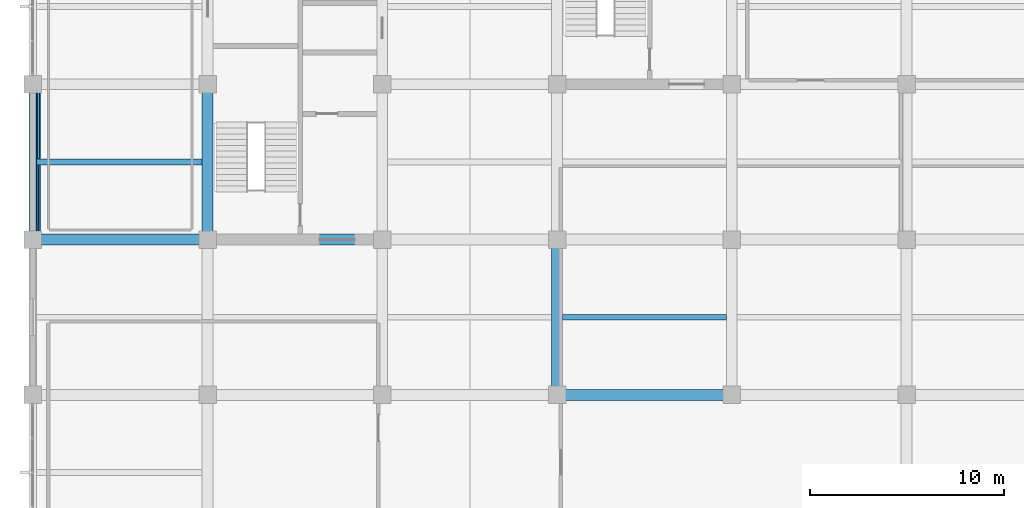
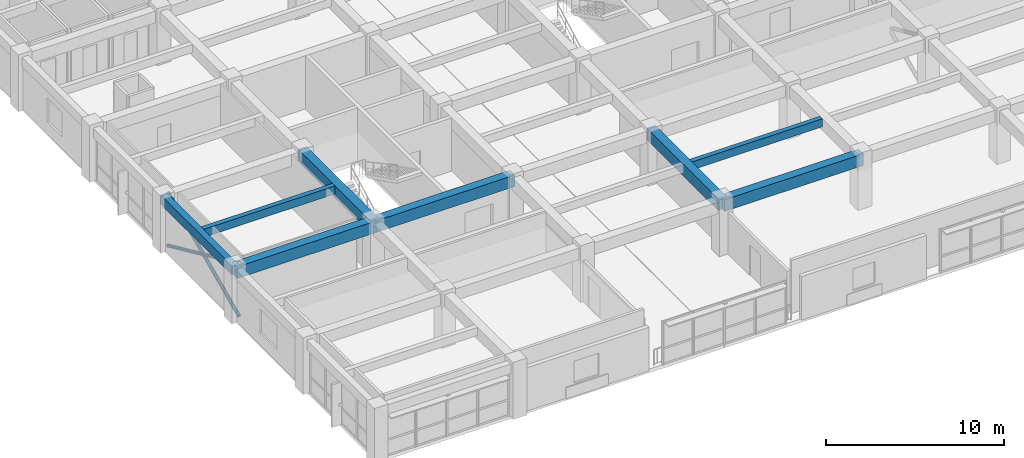
# One storey, part 3 of 16: 8 beams, 2 members.
"""IFC4 building model written with IfcOpenShell, lengths in metres."""

from ifc_helpers import new_model, si_unit, direction, frame, origin, origin_2d, place, context, subcontext, project, spatial, rectangle, hollow_circle, extrude, material, material_profile, profile_set, type_object, element, save


model = new_model("IFC4")

# Units and contexts
model_context = context("Model", 3, precision=1e-05, world=origin(), true_north=direction((0.0, 1.0)))
body_context = subcontext(model_context, "Body", "Model", "MODEL_VIEW")
ifc_project = project(units=[si_unit("LENGTHUNIT", "METRE"), si_unit("AREAUNIT", "SQUARE_METRE"), si_unit("VOLUMEUNIT", "CUBIC_METRE"), si_unit("PLANEANGLEUNIT", "RADIAN"), si_unit("MASSUNIT", "GRAM", prefix="KILO")], contexts=[model_context])

# Site, building, storey
site_placement = place(None, origin())
site = spatial("IfcSite", under=ifc_project, at=site_placement, CompositionType="ELEMENT")
building_placement = place(site_placement, origin())
building = spatial("IfcBuilding", under=site, at=building_placement, Name="Zaverband Oceanarium and Marine Research Institute", CompositionType="ELEMENT")
storey_placement = place(building_placement, frame((0.0, 0.0, 25.800048828125)))
storey = spatial("IfcBuildingStorey", under=building, at=storey_placement, Name="L06", CompositionType="ELEMENT", Elevation=25.800048828125)

# Beams
ifc_material_1 = material(Name="Concrete C40/50", Category="concrete")
ifc_material_profile_1 = material_profile(ifc_material_1, rectangle(XDim=0.550048828125, YDim=0.800048828125, at=origin_2d()), Name="RC550x800")
ifc_profile_set_1 = profile_set([ifc_material_profile_1], Name="Concrete C40/50")
beam_type_1 = type_object("IfcBeamType", Name="BM-550x800", PredefinedType="BEAM", material=ifc_profile_set_1)
for number, where, z_axis, x_axis, name in (
    (1, (36.0, 72.0, 3.25), (1.0, 0.0, 0.0), (0.0, 1.0, 0.0), "Primary floor girder BM-550x800"),
    (2, (9.0, 80.0, 3.25), (1.0, 0.0, 0.0), (0.0, 1.0, 0.0), "Primary floor girder BM-550x800"),
    (3, (18.0, 80.0, 3.25), (1.0, 0.0, 0.0), (0.0, 1.0, 0.0), "Primary floor girder BM-550x800"),
):
    element("IfcBeam", number, at=place(storey_placement, frame(where, z_axis=z_axis, x_axis=x_axis)), inside=storey, type_object=beam_type_1, Name=name, PredefinedType="BEAM", context=body_context, shape_type="SweptSolid", body=[
        extrude(rectangle(XDim=0.550048828125, YDim=0.800048828125, at=origin_2d()), origin(), (0.0, 0.0, 1.0), 9.0),
    ])
for number, where, z_axis, x_axis, name in (
    (4, (18.0, 80.0, 3.25), (0.0, 1.0, 0.0), (-1.0, 0.0, 0.0), "Primary floor girder BM-550x800"),
    (5, (36.0, 72.0, 3.25), (0.0, 1.0, 0.0), (-1.0, 0.0, 0.0), "Primary floor girder BM-550x800"),
):
    element("IfcBeam", number, at=place(storey_placement, frame(where, z_axis=z_axis, x_axis=x_axis)), inside=storey, type_object=beam_type_1, Name=name, PredefinedType="BEAM", context=body_context, shape_type="SweptSolid", body=[
        extrude(rectangle(XDim=0.550048828125, YDim=0.800048828125, at=origin_2d()), origin(), (0.0, 0.0, 1.0), 8.0),
    ])

# Members
ifc_material_2 = material(Name="Steel S355", Category="steel")
ifc_material_profile_2 = material_profile(ifc_material_2, hollow_circle(Radius=0.109619140625, WallThickness=0.008056640625, at=origin_2d()), Name="CHS219x8")
ifc_profile_set_2 = profile_set([ifc_material_profile_2], Name="Steel S355")
member_type = type_object("IfcMemberType", Name="BR-02", PredefinedType="BRACE", material=ifc_profile_set_2)
for number, where, z_axis, x_axis, name in (
    (6, (9.280029296875, 80.0, 0.0), (0.0, 0.909785572369, 0.415078561612), (-1.0, 0.0, 0.0), "Diagonal lateral brace BR-02"),
    (7, (9.280029296875, 88.0, 0.0), (0.0, -0.909785572369, 0.415078561612), (1.0, 0.0, 0.0), "Diagonal lateral brace BR-02"),
):
    element("IfcMember", number, at=place(storey_placement, frame(where, z_axis=z_axis, x_axis=x_axis)), inside=storey, type_object=member_type, Name=name, PredefinedType="BRACE", context=body_context, shape_type="SweptSolid", body=[
        extrude(hollow_circle(Radius=0.109619140625, WallThickness=0.008056640625, at=origin_2d()), origin(), (0.0, 0.0, 1.0), 8.793212890625),
    ])

# Beams
ifc_material_profile_3 = material_profile(ifc_material_1, rectangle(XDim=0.300048828125, YDim=0.550048828125, at=origin_2d()), Name="RC300x550")
ifc_profile_set_3 = profile_set([ifc_material_profile_3], Name="Concrete C40/50")
beam_type_2 = type_object("IfcBeamType", Name="JST-300x550", PredefinedType="JOIST", material=ifc_profile_set_3)
beam_1_placement = place(storey_placement, frame((9.199951171875, 84.0, 3.375), z_axis=(1.0, 0.0, 0.0), x_axis=(0.0, 1.0, 0.0)))
element("IfcBeam", 8, at=beam_1_placement, inside=storey, type_object=beam_type_2, Name="Secondary floor joist JST-300x550", PredefinedType="JOIST", context=body_context, shape_type="SweptSolid", body=[
    extrude(rectangle(XDim=0.300048828125, YDim=0.550048828125, at=origin_2d()), origin(), (0.0, 0.0, 1.0), 8.525146484375),
])
beam_2_placement = place(storey_placement, frame((36.27490234375, 76.0, 3.375), z_axis=(1.0, 0.0, 0.0), x_axis=(0.0, 1.0, 0.0)))
element("IfcBeam", 9, at=beam_2_placement, inside=storey, type_object=beam_type_2, Name="Secondary floor joist JST-300x550", PredefinedType="JOIST", context=body_context, shape_type="SweptSolid", body=[
    extrude(rectangle(XDim=0.300048828125, YDim=0.550048828125, at=origin_2d()), origin(), (0.0, 0.0, 1.0), 8.4501953125),
])
ifc_material_profile_4 = material_profile(ifc_material_1, rectangle(XDim=0.39990234375, YDim=0.64990234375, at=origin_2d()), Name="RC400x650")
ifc_profile_set_4 = profile_set([ifc_material_profile_4], Name="Concrete C40/50")
beam_type_3 = type_object("IfcBeamType", Name="SPN-400x650", PredefinedType="SPANDREL", material=ifc_profile_set_4)
beam_3_placement = place(storey_placement, frame((9.0, 80.0, 3.324951171875), z_axis=(0.0, 1.0, 0.0), x_axis=(-1.0, 0.0, 0.0)))
element("IfcBeam", 10, at=beam_3_placement, inside=storey, type_object=beam_type_3, Name="Perimeter spandrel beam SPN-400x650", PredefinedType="SPANDREL", context=body_context, shape_type="SweptSolid", body=[
    extrude(rectangle(XDim=0.39990234375, YDim=0.64990234375, at=origin_2d()), origin(), (0.0, 0.0, 1.0), 8.0),
])

save(model, "model.ifc")
